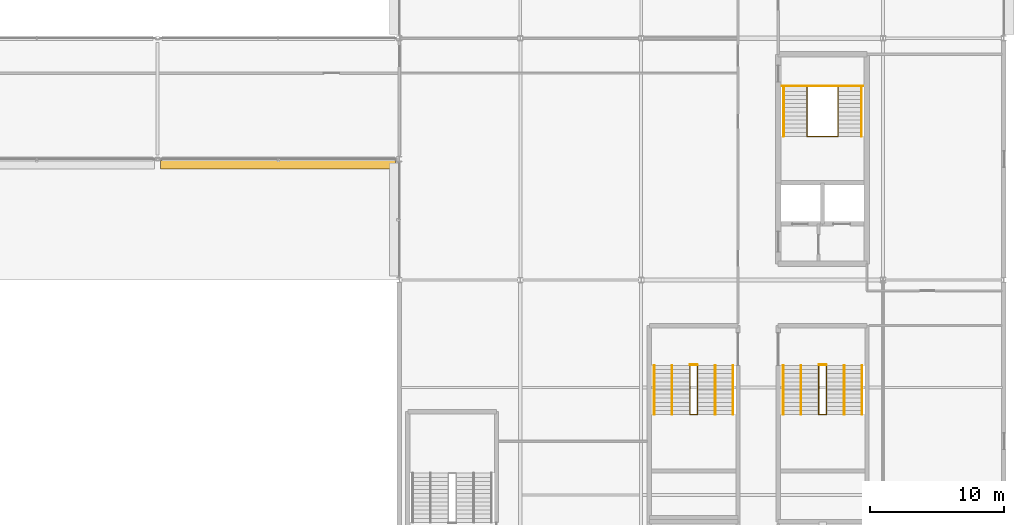
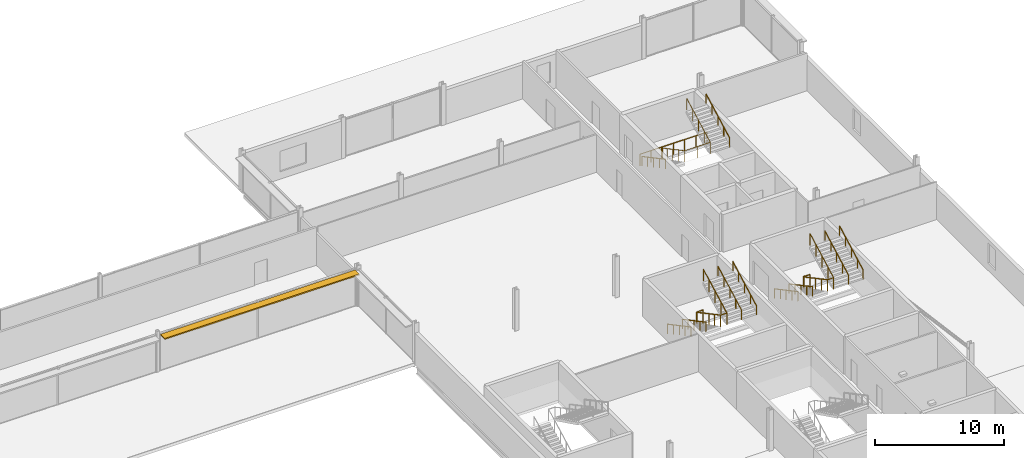
# One storey, part 103 of 105: 16 railings, 1 shading device.
"""IFC4 building model written with IfcOpenShell, lengths in metres."""

from ifc_helpers import new_model, si_unit, direction, frame, origin, origin_2d, place, context, subcontext, project, spatial, rectangle, circle, extrude, material, type_object, element, save


model = new_model("IFC4")

# Units and contexts
model_context = context("Model", 3, precision=1e-05, world=origin(), true_north=direction((0.0, 1.0)))
body_context = subcontext(model_context, "Body", "Model", "MODEL_VIEW")
ifc_project = project(units=[si_unit("LENGTHUNIT", "METRE"), si_unit("AREAUNIT", "SQUARE_METRE"), si_unit("VOLUMEUNIT", "CUBIC_METRE"), si_unit("PLANEANGLEUNIT", "RADIAN"), si_unit("MASSUNIT", "GRAM", prefix="KILO")], contexts=[model_context])

# Site, building, storey
site_placement = place(None, origin())
site = spatial("IfcSite", under=ifc_project, at=site_placement, CompositionType="ELEMENT")
building_placement = place(site_placement, origin())
building = spatial("IfcBuilding", under=site, at=building_placement, Name="Kisiwana Market Hall", CompositionType="ELEMENT")
storey_placement = place(building_placement, frame((0.0, 0.0, 21.60009765625)))
storey = spatial("IfcBuildingStorey", under=building, at=storey_placement, Name="L04", CompositionType="ELEMENT", Elevation=21.60009765625)

# Railings
ifc_material_1 = material(Name="Steel S275", Category="steel")
railing_type_1 = type_object("IfcRailingType", Name="RL-GUARD-1100", PredefinedType="GUARDRAIL", material=ifc_material_1)
railing_1_placement = place(storey_placement, frame((183.35009765625, 98.3505859375, 0.0)))
element("IfcRailing", 1, at=railing_1_placement, inside=storey, type_object=railing_type_1, Name="Stair ST-E1-L04 inner-well guardrail (RL-763)", PredefinedType="GUARDRAIL", context=body_context, shape_type="SweptSolid", body=[
    extrude(circle(Radius=0.02392578125, at=origin_2d()), frame((0.0, 0.0, 1.076171875), z_axis=(0.0, -0.882566327451, 0.470187917379), x_axis=(1.0, 0.0, 0.0)), (0.0, 0.0, 1.0), 4.147216796875),
    extrude(circle(Radius=0.02392578125, at=origin_2d()), frame((0.0, -3.66015625, 3.02587890625), z_axis=(1.0, 0.0, 0.0), x_axis=(0.0, 1.0, 0.0)), (0.0, 0.0, 1.0), 2.2998046875),
    extrude(circle(Radius=0.02392578125, at=origin_2d()), frame((2.2998046875, -3.66015625, 3.02587890625), z_axis=(0.0, 0.882566327451, 0.470187917379), x_axis=(-1.0, 0.0, 0.0)), (0.0, 0.0, 1.0), 4.147216796875),
    extrude(circle(Radius=0.02099609375, at=origin_2d()), origin(), (0.0, 0.0, 1.0), 1.052001953125),
    extrude(circle(Radius=0.02099609375, at=origin_2d()), frame((0.0, -0.9150390625, 0.487548828125)), (0.0, 0.0, 1.0), 1.052001953125),
    extrude(circle(Radius=0.02099609375, at=origin_2d()), frame((0.0, -1.830078125, 0.97509765625)), (0.0, 0.0, 1.0), 1.052001953125),
    extrude(circle(Radius=0.02099609375, at=origin_2d()), frame((0.0, -2.7451171875, 1.46240234375)), (0.0, 0.0, 1.0), 1.052001953125),
    extrude(circle(Radius=0.02099609375, at=origin_2d()), frame((0.0, -3.66015625, 1.949951171875)), (0.0, 0.0, 1.0), 1.052001953125),
    extrude(circle(Radius=0.02099609375, at=origin_2d()), frame((1.14990234375, -3.66015625, 1.949951171875)), (0.0, 0.0, 1.0), 1.052001953125),
    extrude(circle(Radius=0.02099609375, at=origin_2d()), frame((2.2998046875, -3.66015625, 1.949951171875)), (0.0, 0.0, 1.0), 1.052001953125),
    extrude(circle(Radius=0.02099609375, at=origin_2d()), frame((2.2998046875, -2.7451171875, 2.4375)), (0.0, 0.0, 1.0), 1.052001953125),
    extrude(circle(Radius=0.02099609375, at=origin_2d()), frame((2.2998046875, -1.830078125, 2.9248046875)), (0.0, 0.0, 1.0), 1.052001953125),
    extrude(circle(Radius=0.02099609375, at=origin_2d()), frame((2.2998046875, -0.9150390625, 3.412353515625)), (0.0, 0.0, 1.0), 1.052001953125),
    extrude(circle(Radius=0.02099609375, at=origin_2d()), frame((2.2998046875, 0.0, 3.89990234375)), (0.0, 0.0, 1.0), 1.052001953125),
])
railing_2_placement = place(storey_placement, frame((181.47998046875, 98.430419921875, 0.0)))
element("IfcRailing", 2, at=railing_2_placement, inside=storey, type_object=railing_type_1, Name="Stair ST-E1-L04 landing edge guardrail (RL-766)", PredefinedType="GUARDRAIL", context=body_context, shape_type="SweptSolid", body=[
    extrude(circle(Radius=0.02392578125, at=origin_2d()), frame((0.0, 0.0, 1.076171875), z_axis=(1.0, 0.0, 0.0), x_axis=(0.0, 1.0, 0.0)), (0.0, 0.0, 1.0), 6.0400390625),
    extrude(circle(Radius=0.02099609375, at=origin_2d()), origin(), (0.0, 0.0, 1.0), 1.052001953125),
    extrude(circle(Radius=0.02099609375, at=origin_2d()), frame((1.006591796875, 0.0, 0.0)), (0.0, 0.0, 1.0), 1.052001953125),
    extrude(circle(Radius=0.02099609375, at=origin_2d()), frame((2.013427734375, 0.0, 0.0)), (0.0, 0.0, 1.0), 1.052001953125),
    extrude(circle(Radius=0.02099609375, at=origin_2d()), frame((3.02001953125, 0.0, 0.0)), (0.0, 0.0, 1.0), 1.052001953125),
    extrude(circle(Radius=0.02099609375, at=origin_2d()), frame((4.026611328125, 0.0, 0.0)), (0.0, 0.0, 1.0), 1.052001953125),
    extrude(circle(Radius=0.02099609375, at=origin_2d()), frame((5.033447265625, 0.0, 0.0)), (0.0, 0.0, 1.0), 1.052001953125),
    extrude(circle(Radius=0.02099609375, at=origin_2d()), frame((6.0400390625, 0.0, 0.0)), (0.0, 0.0, 1.0), 1.052001953125),
])
railing_3_placement = place(storey_placement, frame((184.219970703125, 77.639892578125, 0.0)))
element("IfcRailing", 3, at=railing_3_placement, inside=storey, type_object=railing_type_1, Name="Stair ST-E4-L04 inner-well guardrail (RL-785)", PredefinedType="GUARDRAIL", context=body_context, shape_type="SweptSolid", body=[
    extrude(circle(Radius=0.02392578125, at=origin_2d()), frame((0.0, 0.0, 1.076171875), z_axis=(0.0, -0.88255331184, 0.47021234752), x_axis=(1.0, 0.0, 0.0)), (0.0, 0.0, 1.0), 4.14697265625),
    extrude(circle(Radius=0.02392578125, at=origin_2d()), frame((0.0, -3.659912109375, 3.02587890625), z_axis=(1.0, 0.0, 0.0), x_axis=(0.0, 1.0, 0.0)), (0.0, 0.0, 1.0), 0.56005859375),
    extrude(circle(Radius=0.02392578125, at=origin_2d()), frame((0.56005859375, -3.659912109375, 3.02587890625), z_axis=(0.0, 0.88255331184, 0.47021234752), x_axis=(-1.0, 0.0, 0.0)), (0.0, 0.0, 1.0), 4.14697265625),
    extrude(circle(Radius=0.02099609375, at=origin_2d()), origin(), (0.0, 0.0, 1.0), 1.052001953125),
    extrude(circle(Radius=0.02099609375, at=origin_2d()), frame((0.0, -0.9150390625, 0.487548828125)), (0.0, 0.0, 1.0), 1.052001953125),
    extrude(circle(Radius=0.02099609375, at=origin_2d()), frame((0.0, -1.830078125, 0.97509765625)), (0.0, 0.0, 1.0), 1.052001953125),
    extrude(circle(Radius=0.02099609375, at=origin_2d()), frame((0.0, -2.744873046875, 1.46240234375)), (0.0, 0.0, 1.0), 1.052001953125),
    extrude(circle(Radius=0.02099609375, at=origin_2d()), frame((0.0, -3.659912109375, 1.949951171875)), (0.0, 0.0, 1.0), 1.052001953125),
    extrude(circle(Radius=0.02099609375, at=origin_2d()), frame((0.56005859375, -3.659912109375, 1.949951171875)), (0.0, 0.0, 1.0), 1.052001953125),
    extrude(circle(Radius=0.02099609375, at=origin_2d()), frame((0.56005859375, -2.744873046875, 2.4375)), (0.0, 0.0, 1.0), 1.052001953125),
    extrude(circle(Radius=0.02099609375, at=origin_2d()), frame((0.56005859375, -1.830078125, 2.9248046875)), (0.0, 0.0, 1.0), 1.052001953125),
    extrude(circle(Radius=0.02099609375, at=origin_2d()), frame((0.56005859375, -0.9150390625, 3.412353515625)), (0.0, 0.0, 1.0), 1.052001953125),
    extrude(circle(Radius=0.02099609375, at=origin_2d()), frame((0.56005859375, 0.0, 3.89990234375)), (0.0, 0.0, 1.0), 1.052001953125),
])
railing_4_placement = place(storey_placement, frame((184.219970703125, 77.68994140625, 0.0)))
element("IfcRailing", 4, at=railing_4_placement, inside=storey, type_object=railing_type_1, Name="Stair ST-E4-L04 landing edge guardrail (RL-790)", PredefinedType="GUARDRAIL", context=body_context, shape_type="SweptSolid", body=[
    extrude(circle(Radius=0.02392578125, at=origin_2d()), frame((0.0, 0.0, 1.076171875), z_axis=(1.0, 0.0, 0.0), x_axis=(0.0, 1.0, 0.0)), (0.0, 0.0, 1.0), 0.56005859375),
    extrude(circle(Radius=0.02099609375, at=origin_2d()), origin(), (0.0, 0.0, 1.0), 1.052001953125),
    extrude(circle(Radius=0.02099609375, at=origin_2d()), frame((0.56005859375, 0.0, 0.0)), (0.0, 0.0, 1.0), 1.052001953125),
])
railing_5_placement = place(storey_placement, frame((174.6201171875, 77.639892578125, 0.0)))
element("IfcRailing", 5, at=railing_5_placement, inside=storey, type_object=railing_type_1, Name="Stair ST-E8-L04 inner-well guardrail (RL-809)", PredefinedType="GUARDRAIL", context=body_context, shape_type="SweptSolid", body=[
    extrude(circle(Radius=0.02392578125, at=origin_2d()), frame((0.0, 0.0, 1.076171875), z_axis=(0.0, -0.88255331184, 0.47021234752), x_axis=(1.0, 0.0, 0.0)), (0.0, 0.0, 1.0), 4.14697265625),
    extrude(circle(Radius=0.02392578125, at=origin_2d()), frame((0.0, -3.659912109375, 3.02587890625), z_axis=(1.0, 0.0, 0.0), x_axis=(0.0, 1.0, 0.0)), (0.0, 0.0, 1.0), 0.559814453125),
    extrude(circle(Radius=0.02392578125, at=origin_2d()), frame((0.559814453125, -3.659912109375, 3.02587890625), z_axis=(0.0, 0.88255331184, 0.47021234752), x_axis=(-1.0, 0.0, 0.0)), (0.0, 0.0, 1.0), 4.14697265625),
    extrude(circle(Radius=0.02099609375, at=origin_2d()), origin(), (0.0, 0.0, 1.0), 1.052001953125),
    extrude(circle(Radius=0.02099609375, at=origin_2d()), frame((0.0, -0.9150390625, 0.487548828125)), (0.0, 0.0, 1.0), 1.052001953125),
    extrude(circle(Radius=0.02099609375, at=origin_2d()), frame((0.0, -1.830078125, 0.97509765625)), (0.0, 0.0, 1.0), 1.052001953125),
    extrude(circle(Radius=0.02099609375, at=origin_2d()), frame((0.0, -2.744873046875, 1.46240234375)), (0.0, 0.0, 1.0), 1.052001953125),
    extrude(circle(Radius=0.02099609375, at=origin_2d()), frame((0.0, -3.659912109375, 1.949951171875)), (0.0, 0.0, 1.0), 1.052001953125),
    extrude(circle(Radius=0.02099609375, at=origin_2d()), frame((0.559814453125, -3.659912109375, 1.949951171875)), (0.0, 0.0, 1.0), 1.052001953125),
    extrude(circle(Radius=0.02099609375, at=origin_2d()), frame((0.559814453125, -2.744873046875, 2.4375)), (0.0, 0.0, 1.0), 1.052001953125),
    extrude(circle(Radius=0.02099609375, at=origin_2d()), frame((0.559814453125, -1.830078125, 2.9248046875)), (0.0, 0.0, 1.0), 1.052001953125),
    extrude(circle(Radius=0.02099609375, at=origin_2d()), frame((0.559814453125, -0.9150390625, 3.412353515625)), (0.0, 0.0, 1.0), 1.052001953125),
    extrude(circle(Radius=0.02099609375, at=origin_2d()), frame((0.559814453125, 0.0, 3.89990234375)), (0.0, 0.0, 1.0), 1.052001953125),
])
railing_6_placement = place(storey_placement, frame((174.6201171875, 77.68994140625, 0.0)))
element("IfcRailing", 6, at=railing_6_placement, inside=storey, type_object=railing_type_1, Name="Stair ST-E8-L04 landing edge guardrail (RL-814)", PredefinedType="GUARDRAIL", context=body_context, shape_type="SweptSolid", body=[
    extrude(circle(Radius=0.02392578125, at=origin_2d()), frame((0.0, 0.0, 1.076171875), z_axis=(1.0, 0.0, 0.0), x_axis=(0.0, 1.0, 0.0)), (0.0, 0.0, 1.0), 0.559814453125),
    extrude(circle(Radius=0.02099609375, at=origin_2d()), origin(), (0.0, 0.0, 1.0), 1.052001953125),
    extrude(circle(Radius=0.02099609375, at=origin_2d()), frame((0.559814453125, 0.0, 0.0)), (0.0, 0.0, 1.0), 1.052001953125),
])
ifc_material_2 = material(Name="Steel S275", Category="steel")
railing_type_2 = type_object("IfcRailingType", Name="RL-HAND-900", PredefinedType="HANDRAIL", material=ifc_material_2)
railing_7_placement = place(storey_placement, frame((181.610107421875, 98.3505859375, 0.0)))
element("IfcRailing", 7, at=railing_7_placement, inside=storey, type_object=railing_type_2, Name="Stair ST-E1-L04 flight 1 handrail (RL-764)", PredefinedType="HANDRAIL", context=body_context, shape_type="SweptSolid", body=[
    extrude(circle(Radius=0.02392578125, at=origin_2d()), frame((0.0, 0.0, 0.8759765625), z_axis=(0.0, -0.882566327451, 0.470187917379), x_axis=(1.0, 0.0, 0.0)), (0.0, 0.0, 1.0), 4.147216796875),
    extrude(circle(Radius=0.02099609375, at=origin_2d()), origin(), (0.0, 0.0, 1.0), 0.851806640625),
    extrude(circle(Radius=0.02099609375, at=origin_2d()), frame((0.0, -0.9150390625, 0.487548828125)), (0.0, 0.0, 1.0), 0.851806640625),
    extrude(circle(Radius=0.02099609375, at=origin_2d()), frame((0.0, -1.830078125, 0.97509765625)), (0.0, 0.0, 1.0), 0.851806640625),
    extrude(circle(Radius=0.02099609375, at=origin_2d()), frame((0.0, -2.7451171875, 1.46240234375)), (0.0, 0.0, 1.0), 0.851806640625),
    extrude(circle(Radius=0.02099609375, at=origin_2d()), frame((0.0, -3.66015625, 1.949951171875)), (0.0, 0.0, 1.0), 0.851806640625),
])
railing_8_placement = place(storey_placement, frame((187.389892578125, 94.6904296875, 1.949951171875)))
element("IfcRailing", 8, at=railing_8_placement, inside=storey, type_object=railing_type_2, Name="Stair ST-E1-L04 flight 2 handrail (RL-765)", PredefinedType="HANDRAIL", context=body_context, shape_type="SweptSolid", body=[
    extrude(circle(Radius=0.02392578125, at=origin_2d()), frame((0.0, 0.0, 0.8759765625), z_axis=(0.0, 0.882566327451, 0.470187917379), x_axis=(-1.0, 0.0, 0.0)), (0.0, 0.0, 1.0), 4.147216796875),
    extrude(circle(Radius=0.02099609375, at=origin_2d()), origin(), (0.0, 0.0, 1.0), 0.851806640625),
    extrude(circle(Radius=0.02099609375, at=origin_2d()), frame((0.0, 0.9150390625, 0.487548828125)), (0.0, 0.0, 1.0), 0.851806640625),
    extrude(circle(Radius=0.02099609375, at=origin_2d()), frame((0.0, 1.830078125, 0.97509765625)), (0.0, 0.0, 1.0), 0.851806640625),
    extrude(circle(Radius=0.02099609375, at=origin_2d()), frame((0.0, 2.7451171875, 1.46240234375)), (0.0, 0.0, 1.0), 0.851806640625),
    extrude(circle(Radius=0.02099609375, at=origin_2d()), frame((0.0, 3.66015625, 1.949951171875)), (0.0, 0.0, 1.0), 0.851806640625),
])
railing_9_placement = place(storey_placement, frame((181.570068359375, 77.639892578125, 0.0)))
element("IfcRailing", 9, at=railing_9_placement, inside=storey, type_object=railing_type_2, Name="Stair ST-E4-L04 flight 1 handrail (RL-786)", PredefinedType="HANDRAIL", context=body_context, shape_type="SweptSolid", body=[
    extrude(circle(Radius=0.02392578125, at=origin_2d()), frame((0.0, 0.0, 0.8759765625), z_axis=(0.0, -0.88255331184, 0.47021234752), x_axis=(1.0, 0.0, 0.0)), (0.0, 0.0, 1.0), 4.14697265625),
    extrude(circle(Radius=0.02099609375, at=origin_2d()), origin(), (0.0, 0.0, 1.0), 0.851806640625),
    extrude(circle(Radius=0.02099609375, at=origin_2d()), frame((0.0, -0.9150390625, 0.487548828125)), (0.0, 0.0, 1.0), 0.851806640625),
    extrude(circle(Radius=0.02099609375, at=origin_2d()), frame((0.0, -1.830078125, 0.97509765625)), (0.0, 0.0, 1.0), 0.851806640625),
    extrude(circle(Radius=0.02099609375, at=origin_2d()), frame((0.0, -2.744873046875, 1.46240234375)), (0.0, 0.0, 1.0), 0.851806640625),
    extrude(circle(Radius=0.02099609375, at=origin_2d()), frame((0.0, -3.659912109375, 1.949951171875)), (0.0, 0.0, 1.0), 0.851806640625),
])
railing_10_placement = place(storey_placement, frame((187.429931640625, 73.97998046875, 1.949951171875)))
element("IfcRailing", 10, at=railing_10_placement, inside=storey, type_object=railing_type_2, Name="Stair ST-E4-L04 flight 2 handrail (RL-787)", PredefinedType="HANDRAIL", context=body_context, shape_type="SweptSolid", body=[
    extrude(circle(Radius=0.02392578125, at=origin_2d()), frame((0.0, 0.0, 0.8759765625), z_axis=(0.0, 0.88255331184, 0.47021234752), x_axis=(-1.0, 0.0, 0.0)), (0.0, 0.0, 1.0), 4.14697265625),
    extrude(circle(Radius=0.02099609375, at=origin_2d()), origin(), (0.0, 0.0, 1.0), 0.851806640625),
    extrude(circle(Radius=0.02099609375, at=origin_2d()), frame((0.0, 0.9150390625, 0.487548828125)), (0.0, 0.0, 1.0), 0.851806640625),
    extrude(circle(Radius=0.02099609375, at=origin_2d()), frame((0.0, 1.830078125, 0.97509765625)), (0.0, 0.0, 1.0), 0.851806640625),
    extrude(circle(Radius=0.02099609375, at=origin_2d()), frame((0.0, 2.744873046875, 1.46240234375)), (0.0, 0.0, 1.0), 0.851806640625),
    extrude(circle(Radius=0.02099609375, at=origin_2d()), frame((0.0, 3.659912109375, 1.949951171875)), (0.0, 0.0, 1.0), 0.851806640625),
])
railing_11_placement = place(storey_placement, frame((182.889892578125, 77.639892578125, 0.0)))
element("IfcRailing", 11, at=railing_11_placement, inside=storey, type_object=railing_type_2, Name="Stair ST-E4-L04 flight 1 intermediate handrail (RL-788)", PredefinedType="HANDRAIL", context=body_context, shape_type="SweptSolid", body=[
    extrude(circle(Radius=0.02392578125, at=origin_2d()), frame((0.0, 0.0, 0.8759765625), z_axis=(0.0, -0.88255331184, 0.47021234752), x_axis=(1.0, 0.0, 0.0)), (0.0, 0.0, 1.0), 4.14697265625),
    extrude(circle(Radius=0.02099609375, at=origin_2d()), origin(), (0.0, 0.0, 1.0), 0.851806640625),
    extrude(circle(Radius=0.02099609375, at=origin_2d()), frame((0.0, -0.9150390625, 0.487548828125)), (0.0, 0.0, 1.0), 0.851806640625),
    extrude(circle(Radius=0.02099609375, at=origin_2d()), frame((0.0, -1.830078125, 0.97509765625)), (0.0, 0.0, 1.0), 0.851806640625),
    extrude(circle(Radius=0.02099609375, at=origin_2d()), frame((0.0, -2.744873046875, 1.46240234375)), (0.0, 0.0, 1.0), 0.851806640625),
    extrude(circle(Radius=0.02099609375, at=origin_2d()), frame((0.0, -3.659912109375, 1.949951171875)), (0.0, 0.0, 1.0), 0.851806640625),
])
railing_12_placement = place(storey_placement, frame((186.110107421875, 73.97998046875, 1.949951171875)))
element("IfcRailing", 12, at=railing_12_placement, inside=storey, type_object=railing_type_2, Name="Stair ST-E4-L04 flight 2 intermediate handrail (RL-789)", PredefinedType="HANDRAIL", context=body_context, shape_type="SweptSolid", body=[
    extrude(circle(Radius=0.02392578125, at=origin_2d()), frame((0.0, 0.0, 0.8759765625), z_axis=(0.0, 0.88255331184, 0.47021234752), x_axis=(-1.0, 0.0, 0.0)), (0.0, 0.0, 1.0), 4.14697265625),
    extrude(circle(Radius=0.02099609375, at=origin_2d()), origin(), (0.0, 0.0, 1.0), 0.851806640625),
    extrude(circle(Radius=0.02099609375, at=origin_2d()), frame((0.0, 0.9150390625, 0.487548828125)), (0.0, 0.0, 1.0), 0.851806640625),
    extrude(circle(Radius=0.02099609375, at=origin_2d()), frame((0.0, 1.830078125, 0.97509765625)), (0.0, 0.0, 1.0), 0.851806640625),
    extrude(circle(Radius=0.02099609375, at=origin_2d()), frame((0.0, 2.744873046875, 1.46240234375)), (0.0, 0.0, 1.0), 0.851806640625),
    extrude(circle(Radius=0.02099609375, at=origin_2d()), frame((0.0, 3.659912109375, 1.949951171875)), (0.0, 0.0, 1.0), 0.851806640625),
])
railing_13_placement = place(storey_placement, frame((171.969970703125, 77.639892578125, 0.0)))
element("IfcRailing", 13, at=railing_13_placement, inside=storey, type_object=railing_type_2, Name="Stair ST-E8-L04 flight 1 handrail (RL-810)", PredefinedType="HANDRAIL", context=body_context, shape_type="SweptSolid", body=[
    extrude(circle(Radius=0.02392578125, at=origin_2d()), frame((0.0, 0.0, 0.8759765625), z_axis=(0.0, -0.88255331184, 0.47021234752), x_axis=(1.0, 0.0, 0.0)), (0.0, 0.0, 1.0), 4.14697265625),
    extrude(circle(Radius=0.02099609375, at=origin_2d()), origin(), (0.0, 0.0, 1.0), 0.851806640625),
    extrude(circle(Radius=0.02099609375, at=origin_2d()), frame((0.0, -0.9150390625, 0.487548828125)), (0.0, 0.0, 1.0), 0.851806640625),
    extrude(circle(Radius=0.02099609375, at=origin_2d()), frame((0.0, -1.830078125, 0.97509765625)), (0.0, 0.0, 1.0), 0.851806640625),
    extrude(circle(Radius=0.02099609375, at=origin_2d()), frame((0.0, -2.744873046875, 1.46240234375)), (0.0, 0.0, 1.0), 0.851806640625),
    extrude(circle(Radius=0.02099609375, at=origin_2d()), frame((0.0, -3.659912109375, 1.949951171875)), (0.0, 0.0, 1.0), 0.851806640625),
])
railing_14_placement = place(storey_placement, frame((177.830078125, 73.97998046875, 1.949951171875)))
element("IfcRailing", 14, at=railing_14_placement, inside=storey, type_object=railing_type_2, Name="Stair ST-E8-L04 flight 2 handrail (RL-811)", PredefinedType="HANDRAIL", context=body_context, shape_type="SweptSolid", body=[
    extrude(circle(Radius=0.02392578125, at=origin_2d()), frame((0.0, 0.0, 0.8759765625), z_axis=(0.0, 0.88255331184, 0.47021234752), x_axis=(-1.0, 0.0, 0.0)), (0.0, 0.0, 1.0), 4.14697265625),
    extrude(circle(Radius=0.02099609375, at=origin_2d()), origin(), (0.0, 0.0, 1.0), 0.851806640625),
    extrude(circle(Radius=0.02099609375, at=origin_2d()), frame((0.0, 0.9150390625, 0.487548828125)), (0.0, 0.0, 1.0), 0.851806640625),
    extrude(circle(Radius=0.02099609375, at=origin_2d()), frame((0.0, 1.830078125, 0.97509765625)), (0.0, 0.0, 1.0), 0.851806640625),
    extrude(circle(Radius=0.02099609375, at=origin_2d()), frame((0.0, 2.744873046875, 1.46240234375)), (0.0, 0.0, 1.0), 0.851806640625),
    extrude(circle(Radius=0.02099609375, at=origin_2d()), frame((0.0, 3.659912109375, 1.949951171875)), (0.0, 0.0, 1.0), 0.851806640625),
])
railing_15_placement = place(storey_placement, frame((173.2900390625, 77.639892578125, 0.0)))
element("IfcRailing", 15, at=railing_15_placement, inside=storey, type_object=railing_type_2, Name="Stair ST-E8-L04 flight 1 intermediate handrail (RL-812)", PredefinedType="HANDRAIL", context=body_context, shape_type="SweptSolid", body=[
    extrude(circle(Radius=0.02392578125, at=origin_2d()), frame((0.0, 0.0, 0.8759765625), z_axis=(0.0, -0.88255331184, 0.47021234752), x_axis=(1.0, 0.0, 0.0)), (0.0, 0.0, 1.0), 4.14697265625),
    extrude(circle(Radius=0.02099609375, at=origin_2d()), origin(), (0.0, 0.0, 1.0), 0.851806640625),
    extrude(circle(Radius=0.02099609375, at=origin_2d()), frame((0.0, -0.9150390625, 0.487548828125)), (0.0, 0.0, 1.0), 0.851806640625),
    extrude(circle(Radius=0.02099609375, at=origin_2d()), frame((0.0, -1.830078125, 0.97509765625)), (0.0, 0.0, 1.0), 0.851806640625),
    extrude(circle(Radius=0.02099609375, at=origin_2d()), frame((0.0, -2.744873046875, 1.46240234375)), (0.0, 0.0, 1.0), 0.851806640625),
    extrude(circle(Radius=0.02099609375, at=origin_2d()), frame((0.0, -3.659912109375, 1.949951171875)), (0.0, 0.0, 1.0), 0.851806640625),
])
railing_16_placement = place(storey_placement, frame((176.510009765625, 73.97998046875, 1.949951171875)))
element("IfcRailing", 16, at=railing_16_placement, inside=storey, type_object=railing_type_2, Name="Stair ST-E8-L04 flight 2 intermediate handrail (RL-813)", PredefinedType="HANDRAIL", context=body_context, shape_type="SweptSolid", body=[
    extrude(circle(Radius=0.02392578125, at=origin_2d()), frame((0.0, 0.0, 0.8759765625), z_axis=(0.0, 0.88255331184, 0.47021234752), x_axis=(-1.0, 0.0, 0.0)), (0.0, 0.0, 1.0), 4.14697265625),
    extrude(circle(Radius=0.02099609375, at=origin_2d()), origin(), (0.0, 0.0, 1.0), 0.851806640625),
    extrude(circle(Radius=0.02099609375, at=origin_2d()), frame((0.0, 0.9150390625, 0.487548828125)), (0.0, 0.0, 1.0), 0.851806640625),
    extrude(circle(Radius=0.02099609375, at=origin_2d()), frame((0.0, 1.830078125, 0.97509765625)), (0.0, 0.0, 1.0), 0.851806640625),
    extrude(circle(Radius=0.02099609375, at=origin_2d()), frame((0.0, 2.744873046875, 1.46240234375)), (0.0, 0.0, 1.0), 0.851806640625),
    extrude(circle(Radius=0.02099609375, at=origin_2d()), frame((0.0, 3.659912109375, 1.949951171875)), (0.0, 0.0, 1.0), 0.851806640625),
])

# Shading device
ifc_material_3 = material(Name="Aluminium alloy 6063-T6", Category="aluminium")
shading_device_type = type_object("IfcShadingDeviceType", Name="SHD-JALOUSIE-H", PredefinedType="JALOUSIE", material=ifc_material_3)
shading_device_placement = place(storey_placement, frame((143.969482421875, 92.580078125, 3.40478515625), z_axis=(0.0, 0.0, 1.0), x_axis=(1.0, 0.0, 0.0)))
element("IfcShadingDevice", 17, at=shading_device_placement, inside=storey, type_object=shading_device_type, Name="Aluminium brise-soleil louvre SHD-085 SD-085", PredefinedType="JALOUSIE", context=body_context, shape_type="SweptSolid", body=[
    extrude(rectangle(XDim=17.48876953125, YDim=0.64990234375, at=origin_2d()), origin(), (0.0, 0.0, 1.0), 0.1201171875),
])

save(model, "model.ifc")
